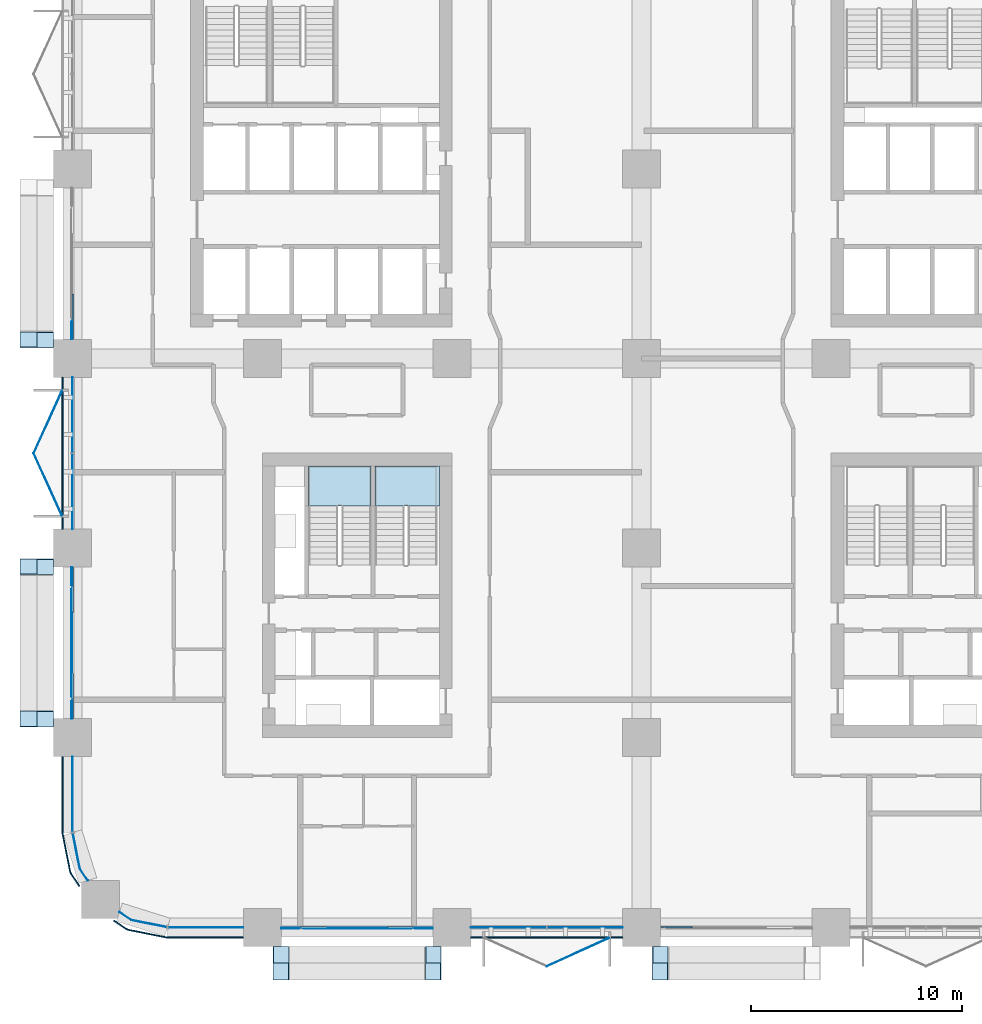
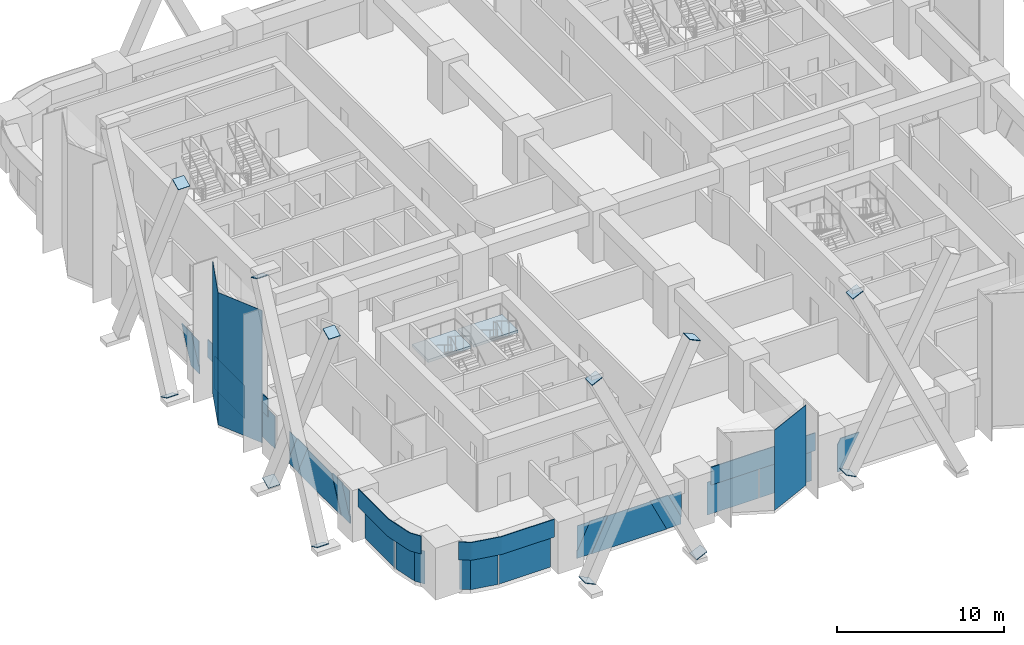
# One storey, part 11 of 26: 40 plates, 2 slabs, 10 elements without a shape of their own.
"""IFC4 building model written with IfcOpenShell, lengths in metres."""

from ifc_helpers import new_model, si_unit, direction, frame, origin, origin_2d, place, context, subcontext, project, spatial, polyline, rectangle, outline, extrude, material, layer, layer_set, type_object, element, aggregate, save


model = new_model("IFC4")

# Units and contexts
model_context = context("Model", 3, precision=1e-05, world=origin(), true_north=direction((0.0, 1.0)))
body_context = subcontext(model_context, "Body", "Model", "MODEL_VIEW")
ifc_project = project(units=[si_unit("LENGTHUNIT", "METRE"), si_unit("AREAUNIT", "SQUARE_METRE"), si_unit("VOLUMEUNIT", "CUBIC_METRE"), si_unit("PLANEANGLEUNIT", "RADIAN"), si_unit("MASSUNIT", "GRAM", prefix="KILO")], contexts=[model_context])

# Site, building, storey
site_placement = place(None, origin())
site = spatial("IfcSite", under=ifc_project, at=site_placement, CompositionType="ELEMENT")
building_placement = place(site_placement, origin())
building = spatial("IfcBuilding", under=site, at=building_placement, Name="Tessera Arch", CompositionType="ELEMENT")
storey_placement = place(building_placement, frame((0.0, 0.0, 31.0)))
storey = spatial("IfcBuildingStorey", under=building, at=storey_placement, Name="L05", CompositionType="ELEMENT", Elevation=31.0)

# Curtain wall, plates
ifc_material_1 = material(Name="CW1 curtain wall")
curtain_wall_type_1 = type_object("IfcCurtainWallType", Name="CW1 curtain wall", PredefinedType="NOTDEFINED", material=ifc_material_1)
curtain_wall_1_placement = place(storey_placement, origin())
curtain_wall_1 = element("IfcCurtainWall", 1, at=curtain_wall_1_placement, inside=storey, type_object=curtain_wall_type_1, Name="CW1 curtain wall S0.0/1 L05", PredefinedType="NOTDEFINED")
ifc_material_2 = material(Name="Clear low-e glass", Category="glass")
ifc_material_3 = material(Name="Clear low-e glass", Category="glass")
ifc_layer_1 = layer(ifc_material_3, 0.028076171875)
ifc_layer_set_1 = layer_set([ifc_layer_1], Name="CW1 glass panel")
plate_type_1 = type_object("IfcPlateType", Name="CW1 glass panel", PredefinedType="CURTAIN_PANEL", material=ifc_layer_set_1)
plate_1_placement = place(storey_placement, frame((20.68505859375, 0.0, 0.0), z_axis=(0.0, 0.0, 1.0), x_axis=(1.0, 0.0, 0.0)))
plate_1 = element("IfcPlate", 2, at=plate_1_placement, type_object=plate_type_1, material=ifc_material_2, Name="CW1 glass panel S0.0/1 1.1.1", PredefinedType="CURTAIN_PANEL", context=body_context, shape_type="SweptSolid", body=[
    extrude(rectangle(XDim=3.570068359375, YDim=0.028076171875, at=origin_2d()), origin(), (0.0, 0.0, 1.0), 2.39990234375),
])
plate_2_placement = place(storey_placement, frame((24.31494140625, 0.0, 0.0), z_axis=(0.0, 0.0, 1.0), x_axis=(1.0, 0.0, 0.0)))
plate_2 = element("IfcPlate", 3, at=plate_2_placement, type_object=plate_type_1, material=ifc_material_2, Name="CW1 glass panel S0.0/1 1.2.1", PredefinedType="CURTAIN_PANEL", context=body_context, shape_type="SweptSolid", body=[
    extrude(rectangle(XDim=3.570068359375, YDim=0.028076171875, at=origin_2d()), origin(), (0.0, 0.0, 1.0), 2.39990234375),
])

curtain_wall_2_placement = place(storey_placement, origin())
curtain_wall_2 = element("IfcCurtainWall", 4, at=curtain_wall_2_placement, inside=storey, type_object=curtain_wall_type_1, Name="CW1 curtain wall W0.0/3 L05", PredefinedType="NOTDEFINED")
plate_3_placement = place(storey_placement, frame((0.0, 24.31494140625, 0.0), z_axis=(0.0, 0.0, 1.0), x_axis=(0.0, -1.0, 0.0)))
plate_3 = element("IfcPlate", 5, at=plate_3_placement, type_object=plate_type_1, material=ifc_material_2, Name="CW1 glass panel W0.0/3 1.1.1", PredefinedType="CURTAIN_PANEL", context=body_context, shape_type="SweptSolid", body=[
    extrude(rectangle(XDim=3.570068359375, YDim=0.028076171875, at=origin_2d()), origin(), (0.0, 0.0, 1.0), 2.39990234375),
])
plate_4_placement = place(storey_placement, frame((0.0, 20.68505859375, 0.0), z_axis=(0.0, 0.0, 1.0), x_axis=(0.0, -1.0, 0.0)))
plate_4 = element("IfcPlate", 6, at=plate_4_placement, type_object=plate_type_1, material=ifc_material_2, Name="CW1 glass panel W0.0/3 1.2.1", PredefinedType="CURTAIN_PANEL", context=body_context, shape_type="SweptSolid", body=[
    extrude(rectangle(XDim=3.570068359375, YDim=0.028076171875, at=origin_2d()), origin(), (0.0, 0.0, 1.0), 2.39990234375),
])

# Plate
ifc_material_4 = material(Name="Pale anodised aluminium panel", Category="aluminium")
ifc_layer_2 = layer(ifc_material_4, 0.06005859375)
ifc_layer_set_2 = layer_set([ifc_layer_2], Name="CW1 spandrel panel")
plate_type_2 = type_object("IfcPlateType", Name="CW1 spandrel panel", PredefinedType="CURTAIN_PANEL", material=ifc_layer_set_2)
plate_5_placement = place(storey_placement, frame((22.5, -0.47998046875, 2.5), z_axis=(0.0, 0.0, 1.0), x_axis=(1.0, 0.0, 0.0)))
plate_5 = element("IfcPlate", 7, at=plate_5_placement, type_object=plate_type_2, Name="CW1 spandrel panel S0.0/1", PredefinedType="CURTAIN_PANEL", context=body_context, shape_type="SweptSolid", body=[
    extrude(rectangle(XDim=7.199951171875, YDim=0.06005859375, at=origin_2d()), origin(), (0.0, 0.0, 1.0), 1.300048828125),
])

aggregate(curtain_wall_1, [plate_1, plate_2, plate_5])

plate_6_placement = place(storey_placement, frame((-0.47998046875, 22.5, 2.5), z_axis=(0.0, 0.0, 1.0), x_axis=(0.0, -1.0, 0.0)))
plate_6 = element("IfcPlate", 8, at=plate_6_placement, type_object=plate_type_2, Name="CW1 spandrel panel W0.0/3", PredefinedType="CURTAIN_PANEL", context=body_context, shape_type="SweptSolid", body=[
    extrude(rectangle(XDim=7.199951171875, YDim=0.06005859375, at=origin_2d()), origin(), (0.0, 0.0, 1.0), 1.300048828125),
])

aggregate(curtain_wall_2, [plate_3, plate_4, plate_6])

# Curtain wall, plates
ifc_material_5 = material(Name="CW2 curtain wall")
curtain_wall_type_2 = type_object("IfcCurtainWallType", Name="CW2 curtain wall", PredefinedType="NOTDEFINED", material=ifc_material_5)
curtain_wall_3_placement = place(storey_placement, origin())
curtain_wall_3 = element("IfcCurtainWall", 9, at=curtain_wall_3_placement, inside=storey, type_object=curtain_wall_type_2, Name="CW2 curtain wall W0.0/5 L05", PredefinedType="NOTDEFINED")
ifc_material_6 = material(Name="Clear low-e glass", Category="glass")
ifc_layer_3 = layer(ifc_material_6, 0.028076171875)
ifc_layer_set_3 = layer_set([ifc_layer_3], Name="CW2 glass panel")
plate_type_3 = type_object("IfcPlateType", Name="CW2 glass panel", PredefinedType="CURTAIN_PANEL", material=ifc_layer_set_3)
plate_7_placement = place(storey_placement, frame((0.0, 6.320068359375, 0.0), z_axis=(0.0, 0.0, 1.0), x_axis=(0.0, -1.0, 0.0)))
plate_7 = element("IfcPlate", 10, at=plate_7_placement, type_object=plate_type_3, material=ifc_material_2, Name="CW2 glass panel W0.0/5 1.1", PredefinedType="CURTAIN_PANEL", context=body_context, shape_type="SweptSolid", body=[
    extrude(rectangle(XDim=3.56005859375, YDim=0.028076171875, at=origin_2d()), origin(), (0.0, 0.0, 1.0), 2.39990234375),
])
plate_8_placement = place(storey_placement, origin())
plate_8 = element("IfcPlate", 11, at=plate_8_placement, type_object=plate_type_3, material=ifc_material_2, Name="CW2 curved glass panel W0.0/5 2.1", PredefinedType="CURTAIN_PANEL", context=body_context, shape_type="SweptSolid", body=[
    extrude(outline(polyline([(0.355712890625, 2.783447265625), (0.021484375, 4.46337890625), (-0.005859375, 4.4580078125), (0.329345703125, 2.7724609375), (0.705078125, 2.210205078125), (0.728271484375, 2.225830078125), (0.355712890625, 2.783447265625)])), origin(), (0.0, 0.0, 1.0), 2.39990234375),
])

curtain_wall_4_placement = place(storey_placement, origin())
curtain_wall_4 = element("IfcCurtainWall", 12, at=curtain_wall_4_placement, inside=storey, type_object=curtain_wall_type_2, Name="CW2 curtain wall S0.0/5 L05", PredefinedType="NOTDEFINED")
plate_9_placement = place(storey_placement, frame((6.320068359375, 0.0, 0.0), z_axis=(0.0, 0.0, 1.0), x_axis=(1.0, 0.0, 0.0)))
plate_9 = element("IfcPlate", 13, at=plate_9_placement, type_object=plate_type_3, material=ifc_material_2, Name="CW2 glass panel S0.0/5 1.1", PredefinedType="CURTAIN_PANEL", context=body_context, shape_type="SweptSolid", body=[
    extrude(rectangle(XDim=3.56005859375, YDim=0.028076171875, at=origin_2d()), origin(), (0.0, 0.0, 1.0), 2.39990234375),
])
plate_10_placement = place(storey_placement, origin())
plate_10 = element("IfcPlate", 14, at=plate_10_placement, type_object=plate_type_3, material=ifc_material_2, Name="CW2 curved glass panel S0.0/5 2.1", PredefinedType="CURTAIN_PANEL", context=body_context, shape_type="SweptSolid", body=[
    extrude(outline(polyline([(2.783447265625, 0.355712890625), (2.225830078125, 0.728271484375), (2.210205078125, 0.705078125), (2.7724609375, 0.329345703125), (4.4580078125, -0.005859375), (4.46337890625, 0.021484375), (2.783447265625, 0.355712890625)])), origin(), (0.0, 0.0, 1.0), 2.39990234375),
])

# Plate
ifc_material_7 = material(Name="Pale anodised aluminium panel", Category="aluminium")
ifc_layer_4 = layer(ifc_material_7, 0.06005859375)
ifc_layer_set_4 = layer_set([ifc_layer_4], Name="CW2 spandrel panel")
plate_type_4 = type_object("IfcPlateType", Name="CW2 spandrel panel", PredefinedType="CURTAIN_PANEL", material=ifc_layer_set_4)
plate_11_placement = place(storey_placement, frame((0.0, 0.0, 2.5)))
plate_11 = element("IfcPlate", 15, at=plate_11_placement, type_object=plate_type_4, Name="CW2 spandrel panel W0.0/5", PredefinedType="CURTAIN_PANEL", context=body_context, shape_type="SweptSolid", body=[
    extrude(outline(polyline([(-0.449951171875, 4.500732421875), (-0.449951171875, 8.10009765625), (-0.510009765625, 8.10009765625), (-0.510009765625, 4.499267578125), (-0.507568359375, 4.449951171875), (-0.500244140625, 4.401123046875), (-0.157470703125, 2.677734375), (-0.1455078125, 2.6298828125), (-0.128662109375, 2.582763671875), (-0.107177734375, 2.537353515625), (-0.08203125, 2.4951171875), (0.292724609375, 1.9345703125), (0.342529296875, 1.968017578125), (-0.03125, 2.52734375), (-0.05419921875, 2.565673828125), (-0.0732421875, 2.605712890625), (-0.088134765625, 2.647216796875), (-0.09912109375, 2.69091796875), (-0.441162109375, 4.411376953125), (-0.44775390625, 4.455810546875), (-0.449951171875, 4.500732421875)])), origin(), (0.0, 0.0, 1.0), 1.300048828125),
])

aggregate(curtain_wall_3, [plate_7, plate_8, plate_11])

plate_12_placement = place(storey_placement, frame((0.0, 0.0, 2.5)))
plate_12 = element("IfcPlate", 16, at=plate_12_placement, type_object=plate_type_4, Name="CW2 spandrel panel S0.0/5", PredefinedType="CURTAIN_PANEL", context=body_context, shape_type="SweptSolid", body=[
    extrude(outline(polyline([(2.52734375, -0.03125), (1.968017578125, 0.342529296875), (1.9345703125, 0.292724609375), (2.4951171875, -0.08203125), (2.537353515625, -0.107177734375), (2.582763671875, -0.128662109375), (2.6298828125, -0.1455078125), (2.677734375, -0.157470703125), (4.401123046875, -0.500244140625), (4.449951171875, -0.507568359375), (4.499267578125, -0.510009765625), (8.10009765625, -0.510009765625), (8.10009765625, -0.449951171875), (4.500732421875, -0.449951171875), (4.455810546875, -0.44775390625), (4.411376953125, -0.441162109375), (2.69091796875, -0.09912109375), (2.647216796875, -0.088134765625), (2.605712890625, -0.0732421875), (2.565673828125, -0.05419921875), (2.52734375, -0.03125)])), origin(), (0.0, 0.0, 1.0), 1.300048828125),
])

aggregate(curtain_wall_4, [plate_9, plate_10, plate_12])

# Curtain wall, plates
ifc_material_8 = material(Name="CW3 curtain wall")
curtain_wall_type_3 = type_object("IfcCurtainWallType", Name="CW3 curtain wall", PredefinedType="NOTDEFINED", material=ifc_material_8)
curtain_wall_5_placement = place(storey_placement, origin())
curtain_wall_5 = element("IfcCurtainWall", 17, at=curtain_wall_5_placement, inside=storey, type_object=curtain_wall_type_3, Name="CW3 curtain wall S0.0/0 L05", PredefinedType="NOTDEFINED")
ifc_material_9 = material(Name="Pale anodised aluminium panel", Category="aluminium")
ifc_layer_5 = layer(ifc_material_9, 0.06005859375)
ifc_layer_set_5 = layer_set([ifc_layer_5], Name="CW3 diagonal panel")
plate_type_5 = type_object("IfcPlateType", Name="CW3 diagonal panel", PredefinedType="CURTAIN_PANEL", material=ifc_layer_set_5)
plate_13_placement = place(storey_placement, frame((17.10009765625, -0.030029296875, 0.0), z_axis=(0.0, -1.0, 0.0), x_axis=(0.0, 0.0, 1.0)))
plate_13 = element("IfcPlate", 18, at=plate_13_placement, type_object=plate_type_5, Name="CW3 diagonal panel S0.0/0 1", PredefinedType="CURTAIN_PANEL", context=body_context, shape_type="SweptSolid", body=[
    extrude(outline(polyline([(0.0, 0.0), (0.52685546875, 0.0), (2.39990234375, 0.887451171875), (2.39990234375, 2.144287109375), (0.0, 1.007568359375), (0.0, 0.0)])), origin(), (0.0, 0.0, -1.0), 0.06005859375),
])
plate_14_placement = place(storey_placement, frame((12.044189453125, -0.030029296875, 2.39990234375), z_axis=(0.0, -1.0, 0.0), x_axis=(-1.0, 0.0, 0.0)))
plate_14 = element("IfcPlate", 19, at=plate_14_placement, type_object=plate_type_5, Name="CW3 diagonal panel S0.0/0 2", PredefinedType="CURTAIN_PANEL", context=body_context, shape_type="SweptSolid", body=[
    extrude(outline(polyline([(0.0, 0.0), (1.2568359375, 0.0), (2.144287109375, 1.873046875), (2.144287109375, 2.39990234375), (1.13671875, 2.39990234375), (0.0, 0.0)])), origin(), (0.0, 0.0, -1.0), 0.06005859375),
])

# Curtain wall, plate
curtain_wall_6_placement = place(storey_placement, origin())
curtain_wall_6 = element("IfcCurtainWall", 20, at=curtain_wall_6_placement, inside=storey, type_object=curtain_wall_type_3, Name="CW3 curtain wall S0.0/2 L05", PredefinedType="NOTDEFINED")
plate_15_placement = place(storey_placement, frame((29.4033203125, -0.030029296875, 2.39990234375), z_axis=(0.0, -1.0, 0.0), x_axis=(-1.0, 0.0, 0.0)))
plate_15 = element("IfcPlate", 21, at=plate_15_placement, type_object=plate_type_5, Name="CW3 diagonal panel S0.0/2 2", PredefinedType="CURTAIN_PANEL", context=body_context, shape_type="SweptSolid", body=[
    extrude(outline(polyline([(0.0, 0.0), (1.28466796875, 0.0), (1.50341796875, 0.413818359375), (1.50341796875, 2.39990234375), (1.267578125, 2.39990234375), (0.0, 0.0)])), origin(), (0.0, 0.0, -1.0), 0.06005859375),
])
aggregate(curtain_wall_6, [plate_15])

curtain_wall_7_placement = place(storey_placement, origin())
curtain_wall_7 = element("IfcCurtainWall", 22, at=curtain_wall_7_placement, inside=storey, type_object=curtain_wall_type_3, Name="CW3 curtain wall W0.0/2 L05", PredefinedType="NOTDEFINED")
plate_16_placement = place(storey_placement, frame((-0.030029296875, 27.89990234375, 0.0), z_axis=(-1.0, 0.0, 0.0), x_axis=(0.0, 0.0, 1.0)))
plate_16 = element("IfcPlate", 23, at=plate_16_placement, type_object=plate_type_5, Name="CW3 diagonal panel W0.0/2 1", PredefinedType="CURTAIN_PANEL", context=body_context, shape_type="SweptSolid", body=[
    extrude(outline(polyline([(0.0, 0.0), (0.52685546875, 0.0), (2.39990234375, 0.887451171875), (2.39990234375, 2.144287109375), (0.0, 1.007568359375), (0.0, 0.0)])), origin(), (0.0, 0.0, -1.0), 0.06005859375),
])

# Curtain wall, plates
curtain_wall_8_placement = place(storey_placement, origin())
curtain_wall_8 = element("IfcCurtainWall", 24, at=curtain_wall_8_placement, inside=storey, type_object=curtain_wall_type_3, Name="CW3 curtain wall W0.0/4 L05", PredefinedType="NOTDEFINED")
plate_17_placement = place(storey_placement, frame((-0.030029296875, 9.89990234375, 0.0), z_axis=(-1.0, 0.0, 0.0), x_axis=(0.0, 0.0, 1.0)))
plate_17 = element("IfcPlate", 25, at=plate_17_placement, type_object=plate_type_5, Name="CW3 diagonal panel W0.0/4 1", PredefinedType="CURTAIN_PANEL", context=body_context, shape_type="SweptSolid", body=[
    extrude(outline(polyline([(0.0, 0.0), (0.52685546875, 0.0), (2.39990234375, 0.887451171875), (2.39990234375, 2.144287109375), (0.0, 1.007568359375), (0.0, 0.0)])), origin(), (0.0, 0.0, -1.0), 0.06005859375),
])
plate_18_placement = place(storey_placement, frame((-0.030029296875, 14.955810546875, 2.39990234375), z_axis=(-1.0, 0.0, 0.0), x_axis=(0.0, 1.0, 0.0)))
plate_18 = element("IfcPlate", 26, at=plate_18_placement, type_object=plate_type_5, Name="CW3 diagonal panel W0.0/4 2", PredefinedType="CURTAIN_PANEL", context=body_context, shape_type="SweptSolid", body=[
    extrude(outline(polyline([(0.0, 0.0), (1.2568359375, 0.0), (2.144287109375, 1.873046875), (2.144287109375, 2.39990234375), (1.13671875, 2.39990234375), (0.0, 0.0)])), origin(), (0.0, 0.0, -1.0), 0.06005859375),
])

# Plate
ifc_material_10 = material(Name="Clear low-e glass", Category="glass")
ifc_layer_6 = layer(ifc_material_10, 0.028076171875)
ifc_layer_set_6 = layer_set([ifc_layer_6], Name="CW3 glass panel")
plate_type_6 = type_object("IfcPlateType", Name="CW3 glass panel", PredefinedType="CURTAIN_PANEL", material=ifc_layer_set_6)
plate_19_placement = place(storey_placement, frame((9.89990234375, -0.05810546875, 2.39990234375), z_axis=(0.0, -1.0, 0.0), x_axis=(0.0, 0.0, -1.0)))
plate_19 = element("IfcPlate", 27, at=plate_19_placement, type_object=plate_type_6, material=ifc_material_2, Name="CW3 triangulated glass panel S0.0/0 1", PredefinedType="CURTAIN_PANEL", context=body_context, shape_type="SweptSolid", body=[
    extrude(outline(polyline([(0.0, 0.0), (1.873046875, 0.0), (0.0, 0.887451171875), (0.0, 0.0)])), origin(), (0.0, 0.0, -1.0), 0.028076171875),
])

plate_20_placement = place(storey_placement, frame((14.955810546875, -0.05810546875, 2.39990234375), z_axis=(0.0, -1.0, 0.0), x_axis=(-1.0, 0.0, 0.0)))
plate_20 = element("IfcPlate", 28, at=plate_20_placement, type_object=plate_type_6, material=ifc_material_2, Name="CW3 triangulated glass panel S0.0/0 2", PredefinedType="CURTAIN_PANEL", context=body_context, shape_type="SweptSolid", body=[
    extrude(outline(polyline([(0.0, 0.0), (2.91162109375, 0.0), (4.04833984375, 2.39990234375), (-1.13671875, 2.39990234375), (0.0, 0.0)])), origin(), (0.0, 0.0, -1.0), 0.028076171875),
])

plate_21_placement = place(storey_placement, frame((17.10009765625, -0.05810546875, 2.39990234375), z_axis=(0.0, -1.0, 0.0), x_axis=(-1.0, 0.0, 0.0)))
plate_21 = element("IfcPlate", 29, at=plate_21_placement, type_object=plate_type_6, material=ifc_material_2, Name="CW3 triangulated glass panel S0.0/0 3", PredefinedType="CURTAIN_PANEL", context=body_context, shape_type="SweptSolid", body=[
    extrude(outline(polyline([(0.0, 0.0), (0.887451171875, 0.0), (0.0, 1.873046875), (0.0, 0.0)])), origin(), (0.0, 0.0, -1.0), 0.028076171875),
])

aggregate(curtain_wall_5, [plate_19, plate_20, plate_21, plate_13, plate_14])

plate_22_placement = place(storey_placement, frame((-0.05810546875, 27.89990234375, 2.39990234375), z_axis=(-1.0, 0.0, 0.0), x_axis=(0.0, 1.0, 0.0)))
plate_22 = element("IfcPlate", 30, at=plate_22_placement, type_object=plate_type_6, material=ifc_material_2, Name="CW3 triangulated glass panel W0.0/2 3", PredefinedType="CURTAIN_PANEL", context=body_context, shape_type="SweptSolid", body=[
    extrude(outline(polyline([(0.0, 0.0), (0.887451171875, 0.0), (0.0, 1.873046875), (0.0, 0.0)])), origin(), (0.0, 0.0, -1.0), 0.028076171875),
])

aggregate(curtain_wall_7, [plate_22, plate_16])

plate_23_placement = place(storey_placement, frame((-0.05810546875, 17.10009765625, 2.39990234375), z_axis=(-1.0, 0.0, 0.0), x_axis=(0.0, 0.0, -1.0)))
plate_23 = element("IfcPlate", 31, at=plate_23_placement, type_object=plate_type_6, material=ifc_material_2, Name="CW3 triangulated glass panel W0.0/4 1", PredefinedType="CURTAIN_PANEL", context=body_context, shape_type="SweptSolid", body=[
    extrude(outline(polyline([(0.0, 0.0), (1.873046875, 0.0), (0.0, 0.887451171875), (0.0, 0.0)])), origin(), (0.0, 0.0, -1.0), 0.028076171875),
])

plate_24_placement = place(storey_placement, frame((-0.05810546875, 12.044189453125, 2.39990234375), z_axis=(-1.0, 0.0, 0.0), x_axis=(0.0, 1.0, 0.0)))
plate_24 = element("IfcPlate", 32, at=plate_24_placement, type_object=plate_type_6, material=ifc_material_2, Name="CW3 triangulated glass panel W0.0/4 2", PredefinedType="CURTAIN_PANEL", context=body_context, shape_type="SweptSolid", body=[
    extrude(outline(polyline([(0.0, 0.0), (2.91162109375, 0.0), (4.04833984375, 2.39990234375), (-1.13671875, 2.39990234375), (0.0, 0.0)])), origin(), (0.0, 0.0, -1.0), 0.028076171875),
])

plate_25_placement = place(storey_placement, frame((-0.05810546875, 9.89990234375, 2.39990234375), z_axis=(-1.0, 0.0, 0.0), x_axis=(0.0, 1.0, 0.0)))
plate_25 = element("IfcPlate", 33, at=plate_25_placement, type_object=plate_type_6, material=ifc_material_2, Name="CW3 triangulated glass panel W0.0/4 3", PredefinedType="CURTAIN_PANEL", context=body_context, shape_type="SweptSolid", body=[
    extrude(outline(polyline([(0.0, 0.0), (0.887451171875, 0.0), (0.0, 1.873046875), (0.0, 0.0)])), origin(), (0.0, 0.0, -1.0), 0.028076171875),
])

aggregate(curtain_wall_8, [plate_23, plate_24, plate_25, plate_17, plate_18])

# Plates
ifc_material_11 = material(Name="Steel A572 Gr50", Category="steel")
ifc_layer_7 = layer(ifc_material_11, 0.050048828125)
ifc_layer_set_7 = layer_set([ifc_layer_7], Name="End plate BOX 800x800x60")
plate_type_7 = type_object("IfcPlateType", Name="End plate BOX 800x800x60", PredefinedType="SHEET", material=ifc_layer_set_7)
for number, where, z_axis, x_axis, name in (
    (34, (9.878662109375, -1.300048828125, -0.84521484375), (0.425561453383, 0.0, 0.904929527308), (0.0, 1.0, 0.0), "End plate BOX 800x800x60 S0.0-0 A1 L05"),
    (35, (17.10009765625, -1.300048828125, 14.39990234375), (0.425561453383, 0.0, 0.904929527308), (0.0, 1.0, 0.0), "End plate BOX 800x800x60 S0.0-0 A2 L05"),
    (36, (17.121337890625, -2.10009765625, -0.84521484375), (-0.425561453383, 0.0, 0.904929527308), (0.0, -1.0, 0.0), "End plate BOX 800x800x60 S0.0-0 B1 L05"),
    (37, (9.89990234375, -2.10009765625, 14.39990234375), (-0.425561453383, 0.0, 0.904929527308), (0.0, -1.0, 0.0), "End plate BOX 800x800x60 S0.0-0 B2 L05"),
    (38, (27.876708984375, -1.300048828125, 0.725830078125), (0.464738022101, 0.0, 0.885448231583), (0.0, 1.0, 0.0), "End plate BOX 800x800x60 S0.0-2 A1 L05"),
    (39, (27.89990234375, -2.10009765625, 14.39990234375), (-0.425561453383, 0.0, 0.904929527308), (0.0, -1.0, 0.0), "End plate BOX 800x800x60 S0.0-2 B2 L05"),
    (40, (-1.300048828125, 27.89990234375, 14.39990234375), (0.0, -0.425561453383, 0.904929527308), (1.0, 0.0, 0.0), "End plate BOX 800x800x60 W0.0-2 A2 L05"),
    (41, (-2.10009765625, 27.878662109375, -0.84521484375), (0.0, 0.425561453383, 0.904929527308), (-1.0, 0.0, 0.0), "End plate BOX 800x800x60 W0.0-2 B1 L05"),
    (42, (-1.300048828125, 17.121337890625, -0.84521484375), (0.0, -0.425561453383, 0.904929527308), (1.0, 0.0, 0.0), "End plate BOX 800x800x60 W0.0-4 A1 L05"),
    (43, (-1.300048828125, 9.89990234375, 14.39990234375), (0.0, -0.425561453383, 0.904929527308), (1.0, 0.0, 0.0), "End plate BOX 800x800x60 W0.0-4 A2 L05"),
    (44, (-2.10009765625, 9.878662109375, -0.84521484375), (0.0, 0.425561453383, 0.904929527308), (-1.0, 0.0, 0.0), "End plate BOX 800x800x60 W0.0-4 B1 L05"),
    (45, (-2.10009765625, 17.10009765625, 14.39990234375), (0.0, 0.425561453383, 0.904929527308), (-1.0, 0.0, 0.0), "End plate BOX 800x800x60 W0.0-4 B2 L05"),
):
    element("IfcPlate", number, at=place(storey_placement, frame(where, z_axis=z_axis, x_axis=x_axis)), inside=storey, type_object=plate_type_7, Name=name, PredefinedType="SHEET", context=body_context, shape_type="SweptSolid", body=[
        extrude(rectangle(XDim=0.800048828125, YDim=0.800048828125, at=origin_2d()), origin(), (0.0, 0.0, 1.0), 0.0498046875),
    ])

# Stair, slab
ifc_material_12 = material(Name="Concrete C40/50", Category="concrete")
stair_type = type_object("IfcStairType", Name="Dogleg stair 1400", PredefinedType="HALF_TURN_STAIR", material=ifc_material_12)
stair_1_placement = place(storey_placement, origin())
stair_1 = element("IfcStair", 46, at=stair_1_placement, inside=storey, type_object=stair_type, Name="L05 S4a", PredefinedType="HALF_TURN_STAIR")
ifc_material_13 = material(Name="Concrete C40/50", Category="concrete")
ifc_layer_8 = layer(ifc_material_13, 0.300048828125)
ifc_layer_set_8 = layer_set([ifc_layer_8], Name="Stair landing 300")
slab_type = type_object("IfcSlabType", Name="Stair landing 300", PredefinedType="LANDING", material=ifc_layer_set_8)
slab_1_placement = place(storey_placement, frame((0.0, 0.0, 1.699951171875)))
slab_1 = element("IfcSlab", 47, at=slab_1_placement, type_object=slab_type, Name="S4a landing 1", PredefinedType="LANDING", context=body_context, shape_type="SweptSolid", body=[
    extrude(outline(polyline([(17.39990234375, 20.0), (17.39990234375, 21.89990234375), (14.35009765625, 21.89990234375), (14.35009765625, 20.0), (17.39990234375, 20.0)])), origin(), (0.0, 0.0, 1.0), 0.199951171875),
])
aggregate(stair_1, [slab_1])

stair_2_placement = place(storey_placement, origin())
stair_2 = element("IfcStair", 48, at=stair_2_placement, inside=storey, type_object=stair_type, Name="L05 S4b", PredefinedType="HALF_TURN_STAIR")
slab_2_placement = place(storey_placement, frame((0.0, 0.0, 1.699951171875)))
slab_2 = element("IfcSlab", 49, at=slab_2_placement, type_object=slab_type, Name="S4b landing 1", PredefinedType="LANDING", context=body_context, shape_type="SweptSolid", body=[
    extrude(outline(polyline([(14.14990234375, 20.0), (14.14990234375, 21.89990234375), (11.199951171875, 21.89990234375), (11.199951171875, 20.0), (14.14990234375, 20.0)])), origin(), (0.0, 0.0, 1.0), 0.199951171875),
])
aggregate(stair_2, [slab_2])

# Plates
ifc_material_14 = material(Name="Clear low-e glass", Category="glass")
ifc_layer_9 = layer(ifc_material_14, 0.028076171875)
ifc_layer_set_9 = layer_set([ifc_layer_9], Name="Window box glass facet")
plate_type_8 = type_object("IfcPlateType", Name="Window box glass facet", PredefinedType="SHEET", material=ifc_layer_set_9)
for number, where, z_axis, x_axis, name in (
    (50, (-1.179931640625, 23.97509765625, 0.22021484375), (0.0, 0.0, 1.0), (-0.413570397858, -0.910472144558, 0.0), "Window box W0.0/3.0 2x3 glass"),
    (51, (-1.179931640625, 21.02490234375, 0.22021484375), (0.0, 0.0, 1.0), (-0.413570397858, 0.910472144558, 0.0), "Window box W0.0/3.0 2x3 glass"),
):
    element("IfcPlate", number, at=place(storey_placement, frame(where, z_axis=z_axis, x_axis=x_axis)), inside=storey, type_object=plate_type_8, Name=name, PredefinedType="SHEET", context=body_context, shape_type="SweptSolid", body=[
        extrude(rectangle(XDim=3.239990234375, YDim=0.028076171875, at=origin_2d()), origin(), (0.0, 0.0, 1.0), 9.659912109375),
    ])
plate_26_placement = place(storey_placement, frame((23.97509765625, -1.179931640625, 0.2197265625), z_axis=(0.0, 0.0, 1.0), x_axis=(-0.910472144558, -0.413570397858, 0.0)))
element("IfcPlate", 52, at=plate_26_placement, inside=storey, type_object=plate_type_8, Name="Window box S0.0/1.0 2x2 glass", PredefinedType="SHEET", context=body_context, shape_type="SweptSolid", body=[
    extrude(rectangle(XDim=3.239990234375, YDim=0.028076171875, at=origin_2d()), origin(), (0.0, 0.0, 1.0), 5.860107421875),
])

save(model, "model.ifc")
